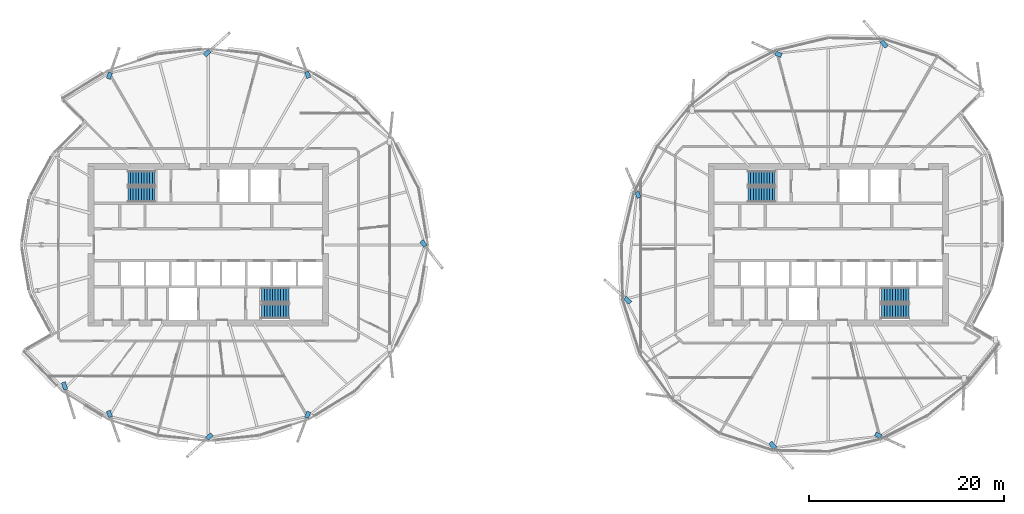
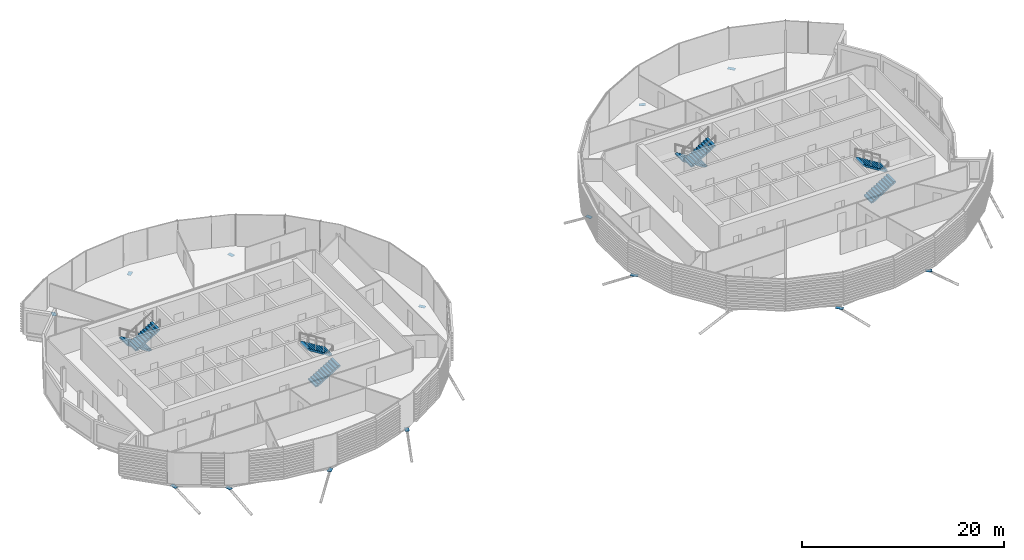
# One storey, part 25 of 37: 14 discrete accessories, 8 stair flights, 4 elements without a shape of their own.
"""IFC4 building model written with IfcOpenShell, lengths in metres."""

from ifc_helpers import new_model, si_unit, direction, frame, origin, origin_2d, place, context, subcontext, project, spatial, polyline, rectangle, outline, extrude, material, material_profile, profile_set, type_object, element, aggregate, save


model = new_model("IFC4")

# Units and contexts
model_context = context("Model", 3, precision=1e-05, world=origin(), true_north=direction((0.0, 1.0)))
body_context = subcontext(model_context, "Body", "Model", "MODEL_VIEW")
ifc_project = project(units=[si_unit("LENGTHUNIT", "METRE"), si_unit("AREAUNIT", "SQUARE_METRE"), si_unit("VOLUMEUNIT", "CUBIC_METRE"), si_unit("PLANEANGLEUNIT", "RADIAN"), si_unit("MASSUNIT", "GRAM", prefix="KILO")], contexts=[model_context])

# Site, building, storey
site_placement = place(None, origin())
site = spatial("IfcSite", under=ifc_project, at=site_placement, CompositionType="ELEMENT")
building_placement = place(site_placement, origin())
building = spatial("IfcBuilding", under=site, at=building_placement, Name="Rimbun Link Towers", CompositionType="ELEMENT")
storey_placement = place(building_placement, frame((0.0, 0.0, 166.5)))
storey = spatial("IfcBuildingStorey", under=building, at=storey_placement, Name="L40", CompositionType="ELEMENT", Elevation=166.5)

# Stair, stair flights
ifc_material_1 = material(Name="Concrete C40/50", Category="concrete")
stair_type = type_object("IfcStairType", Name="Exit stair 3800 rise", PredefinedType="HALF_TURN_STAIR", material=ifc_material_1)
stair_1_placement = place(storey_placement, origin())
stair_1 = element("IfcStair", 1, at=stair_1_placement, inside=storey, type_object=stair_type, Name="L40 EXIT STAIR A", PredefinedType="HALF_TURN_STAIR")
ifc_material_2 = material(Name="Concrete C40/50", Category="concrete")
stair_flight_type = type_object("IfcStairFlightType", Name="Exit stair flight 3800 rise", PredefinedType="STRAIGHT", material=ifc_material_2)
stair_flight_1_placement = place(storey_placement, frame((-37.199951171875, 6.800048828125, 0.0), z_axis=(0.0, 0.0, 1.0), x_axis=(-1.0, 0.0, 0.0)))
stair_flight_1 = element("IfcStairFlight", 2, at=stair_flight_1_placement, type_object=stair_flight_type, Name="ST1 flight 1", NumberOfRisers=11, NumberOfTreads=10, PredefinedType="STRAIGHT", RiserHeight=0.172727273, TreadLength=0.28, context=body_context, shape_type="SweptSolid", body=[
    extrude(outline(polyline([(0.0, 0.0), (0.0, 0.172607421875), (0.280029296875, 0.172607421875), (0.280029296875, 0.345458984375), (0.56005859375, 0.345458984375), (0.56005859375, 0.51806640625), (0.840087890625, 0.51806640625), (0.840087890625, 0.69091796875), (1.1201171875, 0.69091796875), (1.1201171875, 0.863525390625), (1.39990234375, 0.863525390625), (1.39990234375, 1.036376953125), (1.679931640625, 1.036376953125), (1.679931640625, 1.208984375), (1.9599609375, 1.208984375), (1.9599609375, 1.3818359375), (2.239990234375, 1.3818359375), (2.239990234375, 1.554443359375), (2.52001953125, 1.554443359375), (2.52001953125, 1.727294921875), (2.800048828125, 1.727294921875), (2.800048828125, 1.89990234375), (2.800048828125, 1.551025390625), (0.280029296875, 0.0), (0.0, 0.0)])), frame((0.0, 0.75, 0.0), z_axis=(0.0, -1.0, 0.0), x_axis=(1.0, 0.0, 0.0)), (0.0, 0.0, 1.0), 1.5),
])
stair_flight_2_placement = place(storey_placement, frame((-40.0, 5.14990234375, 1.89990234375), z_axis=(0.0, 0.0, 1.0), x_axis=(1.0, 0.0, 0.0)))
stair_flight_2 = element("IfcStairFlight", 3, at=stair_flight_2_placement, type_object=stair_flight_type, Name="ST1 flight 2", NumberOfRisers=11, NumberOfTreads=10, PredefinedType="STRAIGHT", RiserHeight=0.172727273, TreadLength=0.28, context=body_context, shape_type="SweptSolid", body=[
    extrude(outline(polyline([(0.0, 0.0), (0.0, 0.172607421875), (0.280029296875, 0.172607421875), (0.280029296875, 0.345458984375), (0.56005859375, 0.345458984375), (0.56005859375, 0.51806640625), (0.840087890625, 0.51806640625), (0.840087890625, 0.69091796875), (1.1201171875, 0.69091796875), (1.1201171875, 0.863525390625), (1.39990234375, 0.863525390625), (1.39990234375, 1.036376953125), (1.679931640625, 1.036376953125), (1.679931640625, 1.208984375), (1.9599609375, 1.208984375), (1.9599609375, 1.3818359375), (2.239990234375, 1.3818359375), (2.239990234375, 1.554443359375), (2.52001953125, 1.554443359375), (2.52001953125, 1.727294921875), (2.800048828125, 1.727294921875), (2.800048828125, 1.89990234375), (2.800048828125, 1.551025390625), (0.280029296875, 0.0), (0.0, 0.0)])), frame((0.0, 0.75, 0.0), z_axis=(0.0, -1.0, 0.0), x_axis=(1.0, 0.0, 0.0)), (0.0, 0.0, 1.0), 1.5),
])
aggregate(stair_1, [stair_flight_1, stair_flight_2])

stair_2_placement = place(storey_placement, origin())
stair_2 = element("IfcStair", 4, at=stair_2_placement, inside=storey, type_object=stair_type, Name="L40 EXIT STAIR B", PredefinedType="HALF_TURN_STAIR")
stair_flight_3_placement = place(storey_placement, frame((-26.300048828125, -6.800048828125, 0.0), z_axis=(0.0, 0.0, 1.0), x_axis=(1.0, 0.0, 0.0)))
stair_flight_3 = element("IfcStairFlight", 5, at=stair_flight_3_placement, type_object=stair_flight_type, Name="ST2 flight 1", NumberOfRisers=11, NumberOfTreads=10, PredefinedType="STRAIGHT", RiserHeight=0.172727273, TreadLength=0.28, context=body_context, shape_type="SweptSolid", body=[
    extrude(outline(polyline([(0.0, 0.0), (0.0, 0.172607421875), (0.280029296875, 0.172607421875), (0.280029296875, 0.345458984375), (0.56005859375, 0.345458984375), (0.56005859375, 0.51806640625), (0.840087890625, 0.51806640625), (0.840087890625, 0.69091796875), (1.1201171875, 0.69091796875), (1.1201171875, 0.863525390625), (1.39990234375, 0.863525390625), (1.39990234375, 1.036376953125), (1.679931640625, 1.036376953125), (1.679931640625, 1.208984375), (1.9599609375, 1.208984375), (1.9599609375, 1.3818359375), (2.239990234375, 1.3818359375), (2.239990234375, 1.554443359375), (2.52001953125, 1.554443359375), (2.52001953125, 1.727294921875), (2.800048828125, 1.727294921875), (2.800048828125, 1.89990234375), (2.800048828125, 1.551025390625), (0.280029296875, 0.0), (0.0, 0.0)])), frame((0.0, 0.75, 0.0), z_axis=(0.0, -1.0, 0.0), x_axis=(1.0, 0.0, 0.0)), (0.0, 0.0, 1.0), 1.5),
])
stair_flight_4_placement = place(storey_placement, frame((-23.5, -5.14990234375, 1.89990234375), z_axis=(0.0, 0.0, 1.0), x_axis=(-1.0, 0.0, 0.0)))
stair_flight_4 = element("IfcStairFlight", 6, at=stair_flight_4_placement, type_object=stair_flight_type, Name="ST2 flight 2", NumberOfRisers=11, NumberOfTreads=10, PredefinedType="STRAIGHT", RiserHeight=0.172727273, TreadLength=0.28, context=body_context, shape_type="SweptSolid", body=[
    extrude(outline(polyline([(0.0, 0.0), (0.0, 0.172607421875), (0.280029296875, 0.172607421875), (0.280029296875, 0.345458984375), (0.56005859375, 0.345458984375), (0.56005859375, 0.51806640625), (0.840087890625, 0.51806640625), (0.840087890625, 0.69091796875), (1.1201171875, 0.69091796875), (1.1201171875, 0.863525390625), (1.39990234375, 0.863525390625), (1.39990234375, 1.036376953125), (1.679931640625, 1.036376953125), (1.679931640625, 1.208984375), (1.9599609375, 1.208984375), (1.9599609375, 1.3818359375), (2.239990234375, 1.3818359375), (2.239990234375, 1.554443359375), (2.52001953125, 1.554443359375), (2.52001953125, 1.727294921875), (2.800048828125, 1.727294921875), (2.800048828125, 1.89990234375), (2.800048828125, 1.551025390625), (0.280029296875, 0.0), (0.0, 0.0)])), frame((0.0, 0.75, 0.0), z_axis=(0.0, -1.0, 0.0), x_axis=(1.0, 0.0, 0.0)), (0.0, 0.0, 1.0), 1.5),
])
aggregate(stair_2, [stair_flight_3, stair_flight_4])

stair_3_placement = place(storey_placement, origin())
stair_3 = element("IfcStair", 7, at=stair_3_placement, inside=storey, type_object=stair_type, Name="L40 EXIT STAIR A", PredefinedType="HALF_TURN_STAIR")
stair_flight_5_placement = place(storey_placement, frame((26.300048828125, 6.800048828125, 0.0), z_axis=(0.0, 0.0, 1.0), x_axis=(-1.0, 0.0, 0.0)))
stair_flight_5 = element("IfcStairFlight", 8, at=stair_flight_5_placement, type_object=stair_flight_type, Name="ST3 flight 1", NumberOfRisers=11, NumberOfTreads=10, PredefinedType="STRAIGHT", RiserHeight=0.172727273, TreadLength=0.28, context=body_context, shape_type="SweptSolid", body=[
    extrude(outline(polyline([(0.0, 0.0), (0.0, 0.172607421875), (0.280029296875, 0.172607421875), (0.280029296875, 0.345458984375), (0.56005859375, 0.345458984375), (0.56005859375, 0.51806640625), (0.840087890625, 0.51806640625), (0.840087890625, 0.69091796875), (1.1201171875, 0.69091796875), (1.1201171875, 0.863525390625), (1.39990234375, 0.863525390625), (1.39990234375, 1.036376953125), (1.679931640625, 1.036376953125), (1.679931640625, 1.208984375), (1.9599609375, 1.208984375), (1.9599609375, 1.3818359375), (2.239990234375, 1.3818359375), (2.239990234375, 1.554443359375), (2.52001953125, 1.554443359375), (2.52001953125, 1.727294921875), (2.800048828125, 1.727294921875), (2.800048828125, 1.89990234375), (2.800048828125, 1.551025390625), (0.280029296875, 0.0), (0.0, 0.0)])), frame((0.0, 0.75, 0.0), z_axis=(0.0, -1.0, 0.0), x_axis=(1.0, 0.0, 0.0)), (0.0, 0.0, 1.0), 1.5),
])
stair_flight_6_placement = place(storey_placement, frame((23.5, 5.14990234375, 1.89990234375), z_axis=(0.0, 0.0, 1.0), x_axis=(1.0, 0.0, 0.0)))
stair_flight_6 = element("IfcStairFlight", 9, at=stair_flight_6_placement, type_object=stair_flight_type, Name="ST3 flight 2", NumberOfRisers=11, NumberOfTreads=10, PredefinedType="STRAIGHT", RiserHeight=0.172727273, TreadLength=0.28, context=body_context, shape_type="SweptSolid", body=[
    extrude(outline(polyline([(0.0, 0.0), (0.0, 0.172607421875), (0.280029296875, 0.172607421875), (0.280029296875, 0.345458984375), (0.56005859375, 0.345458984375), (0.56005859375, 0.51806640625), (0.840087890625, 0.51806640625), (0.840087890625, 0.69091796875), (1.1201171875, 0.69091796875), (1.1201171875, 0.863525390625), (1.39990234375, 0.863525390625), (1.39990234375, 1.036376953125), (1.679931640625, 1.036376953125), (1.679931640625, 1.208984375), (1.9599609375, 1.208984375), (1.9599609375, 1.3818359375), (2.239990234375, 1.3818359375), (2.239990234375, 1.554443359375), (2.52001953125, 1.554443359375), (2.52001953125, 1.727294921875), (2.800048828125, 1.727294921875), (2.800048828125, 1.89990234375), (2.800048828125, 1.551025390625), (0.280029296875, 0.0), (0.0, 0.0)])), frame((0.0, 0.75, 0.0), z_axis=(0.0, -1.0, 0.0), x_axis=(1.0, 0.0, 0.0)), (0.0, 0.0, 1.0), 1.5),
])
aggregate(stair_3, [stair_flight_5, stair_flight_6])

stair_4_placement = place(storey_placement, origin())
stair_4 = element("IfcStair", 10, at=stair_4_placement, inside=storey, type_object=stair_type, Name="L40 EXIT STAIR B", PredefinedType="HALF_TURN_STAIR")
stair_flight_7_placement = place(storey_placement, frame((37.199951171875, -6.800048828125, 0.0), z_axis=(0.0, 0.0, 1.0), x_axis=(1.0, 0.0, 0.0)))
stair_flight_7 = element("IfcStairFlight", 11, at=stair_flight_7_placement, type_object=stair_flight_type, Name="ST4 flight 1", NumberOfRisers=11, NumberOfTreads=10, PredefinedType="STRAIGHT", RiserHeight=0.172727273, TreadLength=0.28, context=body_context, shape_type="SweptSolid", body=[
    extrude(outline(polyline([(0.0, 0.0), (0.0, 0.172607421875), (0.280029296875, 0.172607421875), (0.280029296875, 0.345458984375), (0.56005859375, 0.345458984375), (0.56005859375, 0.51806640625), (0.840087890625, 0.51806640625), (0.840087890625, 0.69091796875), (1.1201171875, 0.69091796875), (1.1201171875, 0.863525390625), (1.39990234375, 0.863525390625), (1.39990234375, 1.036376953125), (1.679931640625, 1.036376953125), (1.679931640625, 1.208984375), (1.9599609375, 1.208984375), (1.9599609375, 1.3818359375), (2.239990234375, 1.3818359375), (2.239990234375, 1.554443359375), (2.52001953125, 1.554443359375), (2.52001953125, 1.727294921875), (2.800048828125, 1.727294921875), (2.800048828125, 1.89990234375), (2.800048828125, 1.551025390625), (0.280029296875, 0.0), (0.0, 0.0)])), frame((0.0, 0.75, 0.0), z_axis=(0.0, -1.0, 0.0), x_axis=(1.0, 0.0, 0.0)), (0.0, 0.0, 1.0), 1.5),
])
stair_flight_8_placement = place(storey_placement, frame((40.0, -5.14990234375, 1.89990234375), z_axis=(0.0, 0.0, 1.0), x_axis=(-1.0, 0.0, 0.0)))
stair_flight_8 = element("IfcStairFlight", 12, at=stair_flight_8_placement, type_object=stair_flight_type, Name="ST4 flight 2", NumberOfRisers=11, NumberOfTreads=10, PredefinedType="STRAIGHT", RiserHeight=0.172727273, TreadLength=0.28, context=body_context, shape_type="SweptSolid", body=[
    extrude(outline(polyline([(0.0, 0.0), (0.0, 0.172607421875), (0.280029296875, 0.172607421875), (0.280029296875, 0.345458984375), (0.56005859375, 0.345458984375), (0.56005859375, 0.51806640625), (0.840087890625, 0.51806640625), (0.840087890625, 0.69091796875), (1.1201171875, 0.69091796875), (1.1201171875, 0.863525390625), (1.39990234375, 0.863525390625), (1.39990234375, 1.036376953125), (1.679931640625, 1.036376953125), (1.679931640625, 1.208984375), (1.9599609375, 1.208984375), (1.9599609375, 1.3818359375), (2.239990234375, 1.3818359375), (2.239990234375, 1.554443359375), (2.52001953125, 1.554443359375), (2.52001953125, 1.727294921875), (2.800048828125, 1.727294921875), (2.800048828125, 1.89990234375), (2.800048828125, 1.551025390625), (0.280029296875, 0.0), (0.0, 0.0)])), frame((0.0, 0.75, 0.0), z_axis=(0.0, -1.0, 0.0), x_axis=(1.0, 0.0, 0.0)), (0.0, 0.0, 1.0), 1.5),
])
aggregate(stair_4, [stair_flight_7, stair_flight_8])

# Discrete accessories
ifc_material_3 = material(Name="Steel S355J2H", Category="steel")
ifc_material_profile = material_profile(ifc_material_3, rectangle(XDim=0.43310546875, YDim=0.43310546875, at=origin_2d()), Name="PL 433x433")
ifc_profile_set = profile_set([ifc_material_profile], Name="Steel S355J2H")
discrete_accessory_type = type_object("IfcDiscreteAccessoryType", Name="Link head end plate 433X20", PredefinedType="BRACKET", material=ifc_profile_set)
discrete_accessory_1_placement = place(storey_placement, frame((0.0, 0.0, -0.703125)))
element("IfcDiscreteAccessory", 13, at=discrete_accessory_1_placement, inside=storey, type_object=discrete_accessory_type, Name="Link head end plate T1 L40 00", PredefinedType="BRACKET", context=body_context, shape_type="SweptSolid", body=[
    extrude(outline(polyline([(-10.092041015625, 0.266845703125), (-9.6787109375, -0.277099609375), (-9.333984375, -0.01513671875), (-9.747314453125, 0.52880859375), (-10.092041015625, 0.266845703125)])), origin(), (0.0, 0.0, 1.0), 0.02001953125),
])
discrete_accessory_2_placement = place(storey_placement, frame((0.0, 0.0, -0.772705078125)))
element("IfcDiscreteAccessory", 14, at=discrete_accessory_2_placement, inside=storey, type_object=discrete_accessory_type, Name="Link head end plate T1 L40 04", PredefinedType="BRACKET", context=body_context, shape_type="SweptSolid", body=[
    extrude(outline(polyline([(-21.2509765625, 17.16796875), (-21.485107421875, 17.790283203125), (-21.890380859375, 17.637939453125), (-21.65625, 17.015380859375), (-21.2509765625, 17.16796875)])), origin(), (0.0, 0.0, 1.0), 0.02001953125),
])
discrete_accessory_3_placement = place(storey_placement, frame((0.0, 0.0, -0.772705078125)))
element("IfcDiscreteAccessory", 15, at=discrete_accessory_3_placement, inside=storey, type_object=discrete_accessory_type, Name="Link head end plate T1 L40 06", PredefinedType="BRACKET", context=body_context, shape_type="SweptSolid", body=[
    extrude(outline(polyline([(-31.97216796875, 19.235107421875), (-31.46826171875, 19.694580078125), (-31.760009765625, 20.014404296875), (-32.263916015625, 19.55517578125), (-31.97216796875, 19.235107421875)])), origin(), (0.0, 0.0, 1.0), 0.02001953125),
])
discrete_accessory_4_placement = place(storey_placement, frame((0.0, 0.0, -0.772705078125)))
element("IfcDiscreteAccessory", 16, at=discrete_accessory_4_placement, inside=storey, type_object=discrete_accessory_type, Name="Link head end plate T1 L40 08", PredefinedType="BRACKET", context=body_context, shape_type="SweptSolid", body=[
    extrude(outline(polyline([(-41.78955078125, 16.931640625), (-41.567138671875, 17.565673828125), (-41.9755859375, 17.708984375), (-42.1982421875, 17.074951171875), (-41.78955078125, 16.931640625)])), origin(), (0.0, 0.0, 1.0), 0.02001953125),
])
discrete_accessory_5_placement = place(storey_placement, frame((0.0, 0.0, -0.703125)))
element("IfcDiscreteAccessory", 17, at=discrete_accessory_5_placement, inside=storey, type_object=discrete_accessory_type, Name="Link head end plate T1 L40 15", PredefinedType="BRACKET", context=body_context, shape_type="SweptSolid", body=[
    extrude(outline(polyline([(-46.798095703125, -14.14306640625), (-46.5654296875, -14.897216796875), (-46.151611328125, -14.769775390625), (-46.38427734375, -14.015625), (-46.798095703125, -14.14306640625)])), origin(), (0.0, 0.0, 1.0), 0.02001953125),
])
discrete_accessory_6_placement = place(storey_placement, frame((0.0, 0.0, -0.772705078125)))
element("IfcDiscreteAccessory", 18, at=discrete_accessory_6_placement, inside=storey, type_object=discrete_accessory_type, Name="Link head end plate T1 L40 16", PredefinedType="BRACKET", context=body_context, shape_type="SweptSolid", body=[
    extrude(outline(polyline([(-42.1982421875, -17.074951171875), (-41.9755859375, -17.708984375), (-41.567138671875, -17.565673828125), (-41.78955078125, -16.931640625), (-42.1982421875, -17.074951171875)])), origin(), (0.0, 0.0, 1.0), 0.02001953125),
])
discrete_accessory_7_placement = place(storey_placement, frame((0.0, 0.0, -0.772705078125)))
element("IfcDiscreteAccessory", 19, at=discrete_accessory_7_placement, inside=storey, type_object=discrete_accessory_type, Name="Link head end plate T1 L40 18", PredefinedType="BRACKET", context=body_context, shape_type="SweptSolid", body=[
    extrude(outline(polyline([(-31.52783203125, -19.235107421875), (-32.03173828125, -19.694580078125), (-31.739990234375, -20.014404296875), (-31.236083984375, -19.55517578125), (-31.52783203125, -19.235107421875)])), origin(), (0.0, 0.0, 1.0), 0.02001953125),
])
discrete_accessory_8_placement = place(storey_placement, frame((0.0, 0.0, -0.772705078125)))
element("IfcDiscreteAccessory", 20, at=discrete_accessory_8_placement, inside=storey, type_object=discrete_accessory_type, Name="Link head end plate T1 L40 20", PredefinedType="BRACKET", context=body_context, shape_type="SweptSolid", body=[
    extrude(outline(polyline([(-21.65625, -17.015380859375), (-21.890380859375, -17.637939453125), (-21.485107421875, -17.790283203125), (-21.2509765625, -17.16796875), (-21.65625, -17.015380859375)])), origin(), (0.0, 0.0, 1.0), 0.02001953125),
])
discrete_accessory_9_placement = place(storey_placement, frame((0.0, 0.0, -0.853515625)))
element("IfcDiscreteAccessory", 21, at=discrete_accessory_9_placement, inside=storey, type_object=discrete_accessory_type, Name="Link head end plate T2 L40 02", PredefinedType="BRACKET", context=body_context, shape_type="SweptSolid", body=[
    extrude(outline(polyline([(37.86865234375, 20.397216796875), (37.34521484375, 20.9951171875), (37.019287109375, 20.709716796875), (37.542724609375, 20.11181640625), (37.86865234375, 20.397216796875)])), origin(), (0.0, 0.0, 1.0), 0.02001953125),
])
discrete_accessory_10_placement = place(storey_placement, frame((0.0, 0.0, -0.772705078125)))
element("IfcDiscreteAccessory", 22, at=discrete_accessory_10_placement, inside=storey, type_object=discrete_accessory_type, Name="Link head end plate T2 L40 04", PredefinedType="BRACKET", context=body_context, shape_type="SweptSolid", body=[
    extrude(outline(polyline([(27.034423828125, 19.5634765625), (26.4287109375, 19.838134765625), (26.25, 19.44384765625), (26.855712890625, 19.169189453125), (27.034423828125, 19.5634765625)])), origin(), (0.0, 0.0, 1.0), 0.02001953125),
])
discrete_accessory_11_placement = place(storey_placement, frame((0.0, 0.0, -0.576416015625)))
element("IfcDiscreteAccessory", 23, at=discrete_accessory_11_placement, inside=storey, type_object=discrete_accessory_type, Name="Link head end plate T2 L40 08", PredefinedType="BRACKET", context=body_context, shape_type="SweptSolid", body=[
    extrude(outline(polyline([(12.570556640625, 4.90234375), (12.309326171875, 5.499267578125), (11.91259765625, 5.325439453125), (12.173828125, 4.728759765625), (12.570556640625, 4.90234375)])), origin(), (0.0, 0.0, 1.0), 0.02001953125),
])
discrete_accessory_12_placement = place(storey_placement, frame((0.0, 0.0, -0.703125)))
element("IfcDiscreteAccessory", 24, at=discrete_accessory_12_placement, inside=storey, type_object=discrete_accessory_type, Name="Link head end plate T2 L40 10", PredefinedType="BRACKET", context=body_context, shape_type="SweptSolid", body=[
    extrude(outline(polyline([(11.620361328125, -5.784912109375), (11.042724609375, -5.269287109375), (10.75439453125, -5.59228515625), (11.33203125, -6.10791015625), (11.620361328125, -5.784912109375)])), origin(), (0.0, 0.0, 1.0), 0.02001953125),
])
discrete_accessory_13_placement = place(storey_placement, frame((0.0, 0.0, -0.853515625)))
element("IfcDiscreteAccessory", 25, at=discrete_accessory_13_placement, inside=storey, type_object=discrete_accessory_type, Name="Link head end plate T2 L40 14", PredefinedType="BRACKET", context=body_context, shape_type="SweptSolid", body=[
    extrude(outline(polyline([(25.63134765625, -20.397216796875), (26.15478515625, -20.9951171875), (26.480712890625, -20.709716796875), (25.957275390625, -20.11181640625), (25.63134765625, -20.397216796875)])), origin(), (0.0, 0.0, 1.0), 0.02001953125),
])
discrete_accessory_14_placement = place(storey_placement, frame((0.0, 0.0, -0.772705078125)))
element("IfcDiscreteAccessory", 26, at=discrete_accessory_14_placement, inside=storey, type_object=discrete_accessory_type, Name="Link head end plate T2 L40 16", PredefinedType="BRACKET", context=body_context, shape_type="SweptSolid", body=[
    extrude(outline(polyline([(36.465576171875, -19.5634765625), (37.0712890625, -19.838134765625), (37.25, -19.44384765625), (36.644287109375, -19.169189453125), (36.465576171875, -19.5634765625)])), origin(), (0.0, 0.0, 1.0), 0.02001953125),
])

save(model, "model.ifc")
